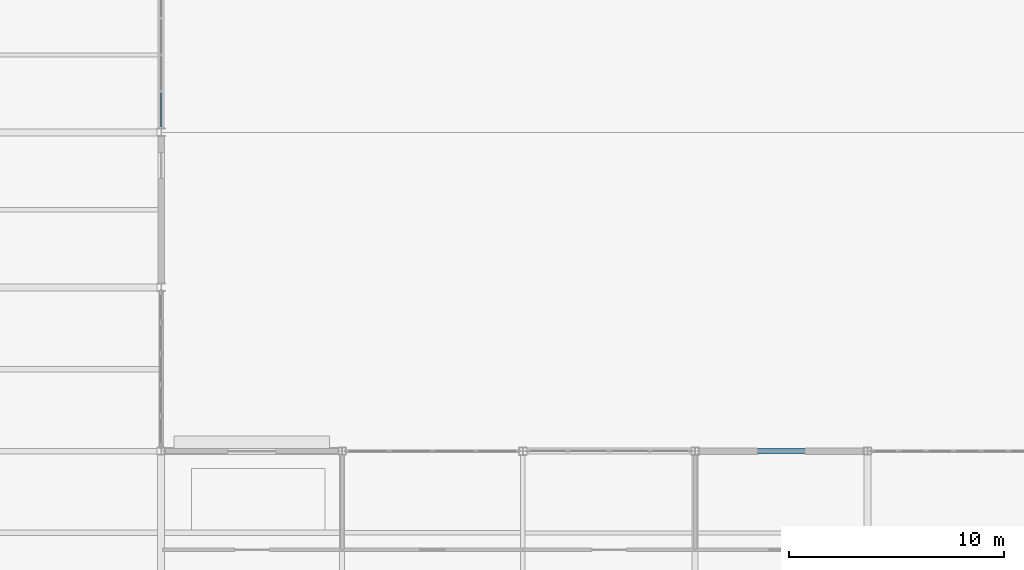
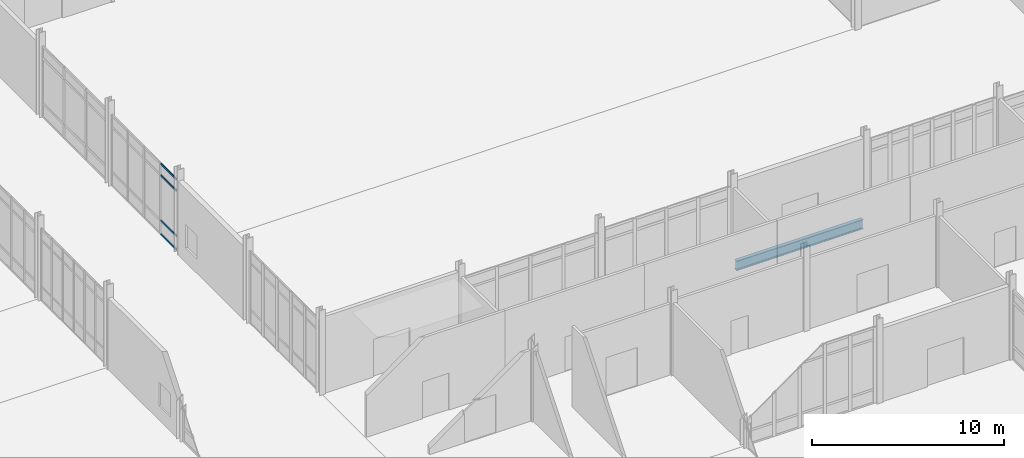
# One storey, part 102 of 229: 4 members, 1 beam, 1 element without a shape of its own.
"""IFC4 building model written with IfcOpenShell, lengths in metres."""

from ifc_helpers import new_model, si_unit, direction, frame, origin, origin_2d, place, context, subcontext, project, spatial, hollow_rectangle, i_section, extrude, material, layer, layer_set, material_profile, profile_set, type_object, element, aggregate, save


model = new_model("IFC4")

# Units and contexts
model_context = context("Model", 3, precision=1e-05, world=origin(), true_north=direction((0.0, 1.0)))
body_context = subcontext(model_context, "Body", "Model", "MODEL_VIEW")
ifc_project = project(units=[si_unit("LENGTHUNIT", "METRE"), si_unit("AREAUNIT", "SQUARE_METRE"), si_unit("VOLUMEUNIT", "CUBIC_METRE"), si_unit("PLANEANGLEUNIT", "RADIAN"), si_unit("MASSUNIT", "GRAM", prefix="KILO")], contexts=[model_context])

# Site, building, storey
site_placement = place(None, origin())
site = spatial("IfcSite", under=ifc_project, at=site_placement, CompositionType="ELEMENT")
building_placement = place(site_placement, origin())
building = spatial("IfcBuilding", under=site, at=building_placement, Name="Calvrana Isthmian Art Gallery", CompositionType="ELEMENT")
storey_placement = place(building_placement, origin())
storey = spatial("IfcBuildingStorey", under=building, at=storey_placement, Name="L00", CompositionType="ELEMENT", Elevation=0.0)

# Beam
ifc_material_1 = material(Name="Steel ASTM A992 Gr 50", Category="steel")
ifc_material_profile_1 = material_profile(ifc_material_1, i_section(OverallWidth=0.22802734375, OverallDepth=0.60693359375, WebThickness=0.01123046875, FlangeThickness=0.017333984375, FilletRadius=0.02197265625, at=origin_2d()), Name="W24X76")
ifc_profile_set_1 = profile_set([ifc_material_profile_1], Name="Steel ASTM A992 Gr 50")
beam_type = type_object("IfcBeamType", Name="BM-G-W24X76", PredefinedType="BEAM", material=ifc_profile_set_1)
beam_placement = place(storey_placement, frame((88.58544921875, 62.0, -0.58837890625), z_axis=(1.0, 0.0, 0.0), x_axis=(0.0, 1.0, 0.0)))
element("IfcBeam", 1, at=beam_placement, inside=storey, type_object=beam_type, Name="Girder X L00 12-13/I", PredefinedType="BEAM", context=body_context, shape_type="SweptSolid", body=[
    extrude(i_section(OverallWidth=0.22802734375, OverallDepth=0.60693359375, WebThickness=0.01123046875, FlangeThickness=0.017333984375, FilletRadius=0.02197265625, at=origin_2d()), origin(), (0.0, 0.0, 1.0), 7.630615234375),
])

# Curtain wall, members
ifc_material_2 = material(Name="Anodized bronze aluminium 6063-T6", Category="aluminium")
ifc_layer = layer(ifc_material_2, 0.179931640625, Name="Anodized bronze aluminium 6063-T6")
ifc_layer_set = layer_set([ifc_layer], Name="Anodized bronze aluminium 6063-T6")
curtain_wall_type = type_object("IfcCurtainWallType", Name="CW-STICK-068X45", PredefinedType="NOTDEFINED", material=ifc_layer_set)
curtain_wall_placement = place(storey_placement, origin())
curtain_wall = element("IfcCurtainWall", 2, at=curtain_wall_placement, inside=storey, type_object=curtain_wall_type, Name="Curtain wall CW-066", PredefinedType="NOTDEFINED")
ifc_material_profile_2 = material_profile(ifc_material_2, hollow_rectangle(XDim=0.06005859375, YDim=0.1298828125, WallThickness=0.00390625, at=origin_2d()), Name="CWT60X130")
ifc_profile_set_2 = profile_set([ifc_material_profile_2], Name="Anodized bronze aluminium 6063-T6")
member_type = type_object("IfcMemberType", Name="CWT-CWT60X130", PredefinedType="USERDEFINED", material=ifc_profile_set_2)
member_1_placement = place(storey_placement, frame((63.60009765625, 78.665283203125, 0.030029296875), z_axis=(0.0, -1.0, 0.0), x_axis=(1.0, 0.0, 0.0)))
member_1 = element("IfcMember", 3, at=member_1_placement, type_object=member_type, Name="CW-066 transom 4.1", ObjectType="TRANSOM", PredefinedType="USERDEFINED", context=body_context, shape_type="SweptSolid", body=[
    extrude(hollow_rectangle(XDim=0.06005859375, YDim=0.1298828125, WallThickness=0.00390625, at=origin_2d()), origin(), (0.0, 0.0, 1.0), 1.618896484375),
])
member_2_placement = place(storey_placement, frame((63.60009765625, 78.665283203125, 0.89990234375), z_axis=(0.0, -1.0, 0.0), x_axis=(1.0, 0.0, 0.0)))
member_2 = element("IfcMember", 4, at=member_2_placement, type_object=member_type, Name="CW-066 transom 4.2", ObjectType="TRANSOM", PredefinedType="USERDEFINED", context=body_context, shape_type="SweptSolid", body=[
    extrude(hollow_rectangle(XDim=0.06005859375, YDim=0.1298828125, WallThickness=0.00390625, at=origin_2d()), origin(), (0.0, 0.0, 1.0), 1.618896484375),
])
member_3_placement = place(storey_placement, frame((63.60009765625, 78.665283203125, 3.778076171875), z_axis=(0.0, -1.0, 0.0), x_axis=(1.0, 0.0, 0.0)))
member_3 = element("IfcMember", 5, at=member_3_placement, type_object=member_type, Name="CW-066 transom 4.3", ObjectType="TRANSOM", PredefinedType="USERDEFINED", context=body_context, shape_type="SweptSolid", body=[
    extrude(hollow_rectangle(XDim=0.06005859375, YDim=0.1298828125, WallThickness=0.00390625, at=origin_2d()), origin(), (0.0, 0.0, 1.0), 1.618896484375),
])
member_4_placement = place(storey_placement, frame((63.60009765625, 78.665283203125, 4.498046875), z_axis=(0.0, -1.0, 0.0), x_axis=(1.0, 0.0, 0.0)))
member_4 = element("IfcMember", 6, at=member_4_placement, type_object=member_type, Name="CW-066 transom 4.4", ObjectType="TRANSOM", PredefinedType="USERDEFINED", context=body_context, shape_type="SweptSolid", body=[
    extrude(hollow_rectangle(XDim=0.06005859375, YDim=0.1298828125, WallThickness=0.00390625, at=origin_2d()), origin(), (0.0, 0.0, 1.0), 1.618896484375),
])
aggregate(curtain_wall, [member_1, member_2, member_3, member_4])

save(model, "model.ifc")
